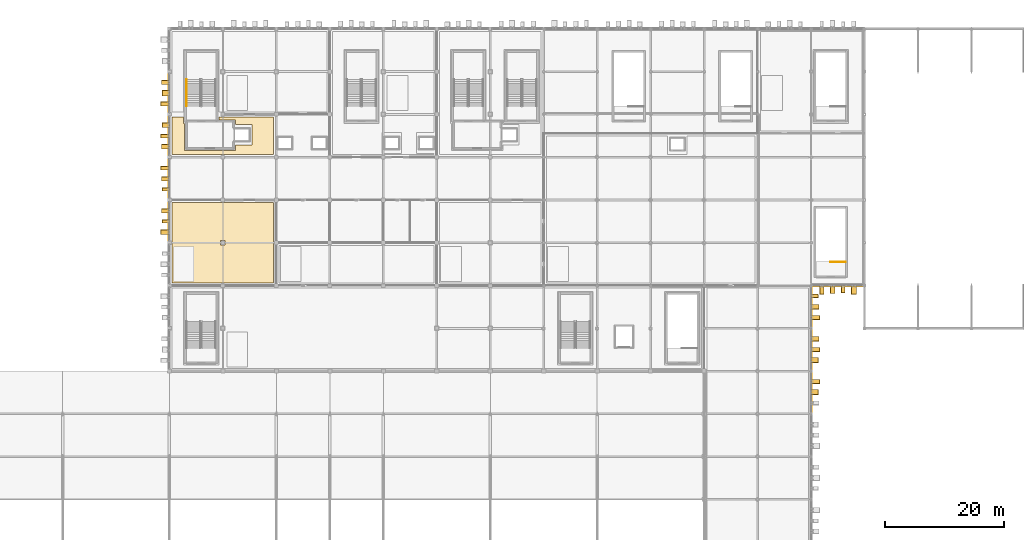
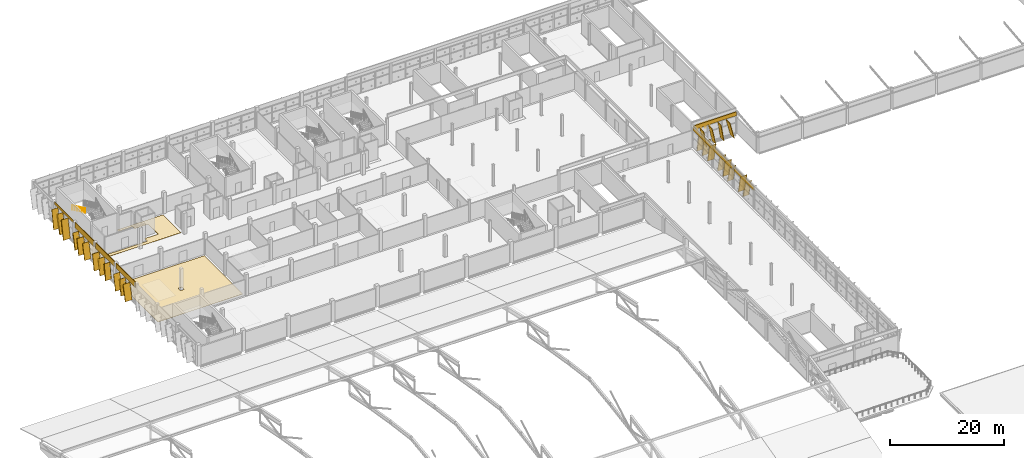
# One storey, part 118 of 124: 34 coverings, 24 shading devices, 2 railings.
"""IFC4 building model written with IfcOpenShell, lengths in metres."""

from ifc_helpers import new_model, si_unit, direction, frame, origin, origin_2d, place, context, subcontext, project, spatial, polyline, rectangle, circle, outline, extrude, material, layer, layer_set, material_profile, profile_set, type_object, element, save


model = new_model("IFC4")

# Units and contexts
model_context = context("Model", 3, precision=1e-05, world=origin(), true_north=direction((0.0, 1.0)))
body_context = subcontext(model_context, "Body", "Model", "MODEL_VIEW")
ifc_project = project(units=[si_unit("LENGTHUNIT", "METRE"), si_unit("AREAUNIT", "SQUARE_METRE"), si_unit("VOLUMEUNIT", "CUBIC_METRE"), si_unit("PLANEANGLEUNIT", "RADIAN"), si_unit("MASSUNIT", "GRAM", prefix="KILO")], contexts=[model_context])

# Site, building, storey
site_placement = place(None, origin())
site = spatial("IfcSite", under=ifc_project, at=site_placement, CompositionType="ELEMENT")
building_placement = place(site_placement, origin())
building = spatial("IfcBuilding", under=site, at=building_placement, Name="Celestram Park Convention Centre", CompositionType="ELEMENT")
storey_placement = place(building_placement, frame((0.0, 0.0, 15.300048828125)))
storey = spatial("IfcBuildingStorey", under=building, at=storey_placement, Name="L03", CompositionType="ELEMENT", Elevation=15.300048828125)

# Coverings
ifc_material_1 = material(Name="Anodised Bronze Aluminium Spandrel Cladding", Category="aluminium")
ifc_layer_1 = layer(ifc_material_1, 0.050048828125)
ifc_layer_set_1 = layer_set([ifc_layer_1], Name="Anodised Bronze Aluminium Spandrel Cladding")
covering_type_1 = type_object("IfcCoveringType", Name="ARC-COV-CLD060", PredefinedType="CLADDING", material=ifc_layer_set_1)
for number, where, z_axis, x_axis, name in (
    (1, (35.919921875, 133.199951171875, 3.35595703125), (0.0, 0.0, 1.0), (0.0, 1.0, 0.0), "Bronze spandrel cladding CL-L03-198"),
    (2, (35.919921875, 140.39990234375, 3.35595703125), (0.0, 0.0, 1.0), (0.0, 1.0, 0.0), "Bronze spandrel cladding CL-L03-199"),
    (3, (35.919921875, 147.60009765625, 3.35595703125), (0.0, 0.0, 1.0), (0.0, 1.0, 0.0), "Bronze spandrel cladding CL-L03-200"),
):
    element("IfcCovering", number, at=place(storey_placement, frame(where, z_axis=z_axis, x_axis=x_axis)), inside=storey, type_object=covering_type_1, Name=name, PredefinedType="CLADDING", context=body_context, shape_type="SweptSolid", body=[
        extrude(rectangle(XDim=6.60400390625, YDim=0.1201171875, at=origin_2d()), origin(), (0.0, 0.0, 1.0), 1.14404296875),
    ])
covering_1_placement = place(storey_placement, frame((35.919921875, 154.800048828125, 4.02001953125), z_axis=(0.0, 0.0, 1.0), x_axis=(0.0, 1.0, 0.0)))
element("IfcCovering", 4, at=covering_1_placement, inside=storey, type_object=covering_type_1, Name="Bronze spandrel cladding CL-L03-201", PredefinedType="CLADDING", context=body_context, shape_type="SweptSolid", body=[
    extrude(rectangle(XDim=6.60400390625, YDim=0.1201171875, at=origin_2d()), origin(), (0.0, 0.0, 1.0), 0.47998046875),
])
covering_2_placement = place(storey_placement, frame((148.5, 122.320068359375, 3.66796875), z_axis=(0.0, 0.0, 1.0), x_axis=(-1.0, 0.0, 0.0)))
element("IfcCovering", 5, at=covering_2_placement, inside=storey, type_object=covering_type_1, Name="Bronze spandrel cladding CL-L03-216", PredefinedType="CLADDING", context=body_context, shape_type="SweptSolid", body=[
    extrude(rectangle(XDim=8.62890625, YDim=0.1201171875, at=origin_2d()), origin(), (0.0, 0.0, 1.0), 0.83203125),
])
for number, where, z_axis, x_axis, name in (
    (6, (144.080078125, 118.800048828125, 3.66796875), (0.0, 0.0, 1.0), (0.0, -1.0, 0.0), "Bronze spandrel cladding CL-L03-217"),
    (7, (144.080078125, 111.60009765625, 3.66796875), (0.0, 0.0, 1.0), (0.0, -1.0, 0.0), "Bronze spandrel cladding CL-L03-218"),
    (8, (144.080078125, 104.39990234375, 3.66796875), (0.0, 0.0, 1.0), (0.0, -1.0, 0.0), "Bronze spandrel cladding CL-L03-219"),
):
    element("IfcCovering", number, at=place(storey_placement, frame(where, z_axis=z_axis, x_axis=x_axis)), inside=storey, type_object=covering_type_1, Name=name, PredefinedType="CLADDING", context=body_context, shape_type="SweptSolid", body=[
        extrude(rectangle(XDim=6.85400390625, YDim=0.1201171875, at=origin_2d()), origin(), (0.0, 0.0, 1.0), 0.83203125),
    ])
ifc_material_2 = material(Name="Timber-Toned Anodised Aluminium Alloy 6063-T6", Category="wood")
ifc_material_profile_1 = material_profile(ifc_material_2, rectangle(XDim=1.1201171875, YDim=0.090087890625, at=origin_2d()), Name="REED1120X90")
ifc_profile_set_1 = profile_set([ifc_material_profile_1], Name="Timber-Toned Anodised Aluminium Alloy 6063-T6")
covering_type_2 = type_object("IfcCoveringType", Name="ARC-COV-FIN1120", PredefinedType="CLADDING", material=ifc_profile_set_1)
for number, where, z_axis, x_axis, name in (
    (9, (35.360107421875, 132.93408203125, 0.0263671875), (0.0, 0.159873983247, 0.987137431911), (-1.0, 0.0, 0.0), "Leaning timber-toned reed fin RFN-L03-0623"),
    (10, (35.360107421875, 138.333984375, 0.0263671875), (0.0, 0.159945509836, 0.987125845008), (-1.0, 0.0, 0.0), "Leaning timber-toned reed fin RFN-L03-0625"),
    (11, (35.360107421875, 149.0146484375, 0.05029296875), (0.0, 0.231742921409, 0.972777065096), (-1.0, 0.0, 0.0), "Leaning timber-toned reed fin RFN-L03-0630"),
):
    element("IfcCovering", number, at=place(storey_placement, frame(where, z_axis=z_axis, x_axis=x_axis)), inside=storey, type_object=covering_type_2, Name=name, PredefinedType="CLADDING", context=body_context, shape_type="SweptSolid", body=[
        extrude(rectangle(XDim=1.1201171875, YDim=0.090087890625, at=origin_2d()), origin(), (0.0, 0.0, 1.0), 3.325927734375),
    ])
covering_3_placement = place(storey_placement, frame((35.360107421875, 154.337646484375, 0.059326171875), z_axis=(0.0, 0.231722551383, 0.972781917585), x_axis=(-1.0, 0.0, 0.0)))
element("IfcCovering", 12, at=covering_3_placement, inside=storey, type_object=covering_type_2, Name="Leaning timber-toned reed fin RFN-L03-0632", PredefinedType="CLADDING", context=body_context, shape_type="SweptSolid", body=[
    extrude(rectangle(XDim=1.1201171875, YDim=0.090087890625, at=origin_2d()), origin(), (0.0, 0.0, 1.0), 3.989990234375),
])
for number, where, z_axis, x_axis, name in (
    (13, (149.67822265625, 121.760009765625, 0.0283203125), (-0.159848483968, 0.0, 0.987141561364), (0.0, -1.0, 0.0), "Leaning timber-toned reed fin RFN-L03-0690"),
    (14, (144.639892578125, 120.890869140625, 0.0283203125), (0.0, -0.159913875069, 0.987130970318), (1.0, 0.0, 0.0), "Leaning timber-toned reed fin RFN-L03-0693"),
    (15, (144.639892578125, 110.221435546875, 0.054443359375), (0.0, -0.231720322485, 0.97278244852), (1.0, 0.0, 0.0), "Leaning timber-toned reed fin RFN-L03-0698"),
    (16, (144.639892578125, 104.821533203125, 0.054443359375), (0.0, -0.231720322485, 0.97278244852), (1.0, 0.0, 0.0), "Leaning timber-toned reed fin RFN-L03-0700"),
):
    element("IfcCovering", number, at=place(storey_placement, frame(where, z_axis=z_axis, x_axis=x_axis)), inside=storey, type_object=covering_type_2, Name=name, PredefinedType="CLADDING", context=body_context, shape_type="SweptSolid", body=[
        extrude(rectangle(XDim=1.1201171875, YDim=0.090087890625, at=origin_2d()), origin(), (0.0, 0.0, 1.0), 3.63818359375),
    ])
ifc_material_profile_2 = material_profile(ifc_material_2, rectangle(XDim=1.280029296875, YDim=0.090087890625, at=origin_2d()), Name="REED1280X90")
ifc_profile_set_2 = profile_set([ifc_material_profile_2], Name="Timber-Toned Anodised Aluminium Alloy 6063-T6")
covering_type_3 = type_object("IfcCoveringType", Name="ARC-COV-FIN1280", PredefinedType="CLADDING", material=ifc_profile_set_2)
for number, where, z_axis, x_axis, name in (
    (17, (35.280029296875, 134.6513671875, 0.041748046875), (0.0, 0.209634355845, 0.977779850912), (-1.0, 0.0, 0.0), "Leaning timber-toned reed fin RFN-L03-0624"),
    (18, (35.280029296875, 140.051513671875, 0.041748046875), (0.0, 0.209564178578, 0.977794894166), (-1.0, 0.0, 0.0), "Leaning timber-toned reed fin RFN-L03-0626"),
    (19, (35.280029296875, 145.451416015625, 0.041748046875), (0.0, 0.209634355845, 0.977779850912), (-1.0, 0.0, 0.0), "Leaning timber-toned reed fin RFN-L03-0628"),
):
    element("IfcCovering", number, at=place(storey_placement, frame(where, z_axis=z_axis, x_axis=x_axis)), inside=storey, type_object=covering_type_3, Name=name, PredefinedType="CLADDING", context=body_context, shape_type="SweptSolid", body=[
        extrude(rectangle(XDim=1.280029296875, YDim=0.090087890625, at=origin_2d()), origin(), (0.0, 0.0, 1.0), 3.326171875),
    ])
covering_4_placement = place(storey_placement, frame((35.280029296875, 156.260498046875, 0.033935546875), z_axis=(0.0, 0.170220399589, 0.985406015591), x_axis=(-1.0, 0.0, 0.0)))
element("IfcCovering", 20, at=covering_4_placement, inside=storey, type_object=covering_type_3, Name="Leaning timber-toned reed fin RFN-L03-0633", PredefinedType="CLADDING", context=body_context, shape_type="SweptSolid", body=[
    extrude(rectangle(XDim=1.280029296875, YDim=0.090087890625, at=origin_2d()), origin(), (0.0, 0.0, 1.0), 3.990234375),
])
for number, where, z_axis, x_axis, name in (
    (21, (147.96875, 121.679931640625, 0.04541015625), (-0.209584085746, 0.0, 0.977790627385), (0.0, -1.0, 0.0), "Leaning timber-toned reed fin RFN-L03-0691"),
    (22, (144.719970703125, 119.181396484375, 0.04541015625), (0.0, -0.209648246417, 0.977776872694), (1.0, 0.0, 0.0), "Leaning timber-toned reed fin RFN-L03-0694"),
    (23, (144.719970703125, 113.78125, 0.04541015625), (0.0, -0.209584085746, 0.977790627385), (1.0, 0.0, 0.0), "Leaning timber-toned reed fin RFN-L03-0696"),
):
    element("IfcCovering", number, at=place(storey_placement, frame(where, z_axis=z_axis, x_axis=x_axis)), inside=storey, type_object=covering_type_3, Name=name, PredefinedType="CLADDING", context=body_context, shape_type="SweptSolid", body=[
        extrude(rectangle(XDim=1.280029296875, YDim=0.090087890625, at=origin_2d()), origin(), (0.0, 0.0, 1.0), 3.637939453125),
    ])
ifc_material_profile_3 = material_profile(ifc_material_2, rectangle(XDim=1.419921875, YDim=0.090087890625, at=origin_2d()), Name="REED1420X90")
ifc_profile_set_3 = profile_set([ifc_material_profile_3], Name="Timber-Toned Anodised Aluminium Alloy 6063-T6")
covering_type_4 = type_object("IfcCoveringType", Name="ARC-COV-FIN1420", PredefinedType="CLADDING", material=ifc_profile_set_3)
covering_5_placement = place(storey_placement, frame((35.2099609375, 131.00341796875, 0.052978515625), z_axis=(0.0, 0.238491942743, 0.97114447599), x_axis=(-1.0, 0.0, 0.0)))
element("IfcCovering", 24, at=covering_5_placement, inside=storey, type_object=covering_type_4, Name="Leaning timber-toned reed fin RFN-L03-0622", PredefinedType="CLADDING", context=body_context, shape_type="SweptSolid", body=[
    extrude(rectangle(XDim=1.419921875, YDim=0.090087890625, at=origin_2d()), origin(), (0.0, 0.0, 1.0), 3.325927734375),
])
for number, where, z_axis, x_axis, name in (
    (25, (35.2099609375, 141.89990234375, 0.0322265625), (0.0, 0.18049356641, 0.983576165065), (-1.0, 0.0, 0.0), "Leaning timber-toned reed fin RFN-L03-0627"),
    (26, (35.2099609375, 147.2998046875, 0.0322265625), (0.0, 0.18049356641, 0.983576165065), (-1.0, 0.0, 0.0), "Leaning timber-toned reed fin RFN-L03-0629"),
):
    element("IfcCovering", number, at=place(storey_placement, frame(where, z_axis=z_axis, x_axis=x_axis)), inside=storey, type_object=covering_type_4, Name=name, PredefinedType="CLADDING", context=body_context, shape_type="SweptSolid", body=[
        extrude(rectangle(XDim=1.419921875, YDim=0.090087890625, at=origin_2d()), origin(), (0.0, 0.0, 1.0), 3.326171875),
    ])
covering_6_placement = place(storey_placement, frame((35.2099609375, 152.639892578125, 0.037841796875), z_axis=(0.0, 0.180511387282, 0.983572894635), x_axis=(-1.0, 0.0, 0.0)))
element("IfcCovering", 27, at=covering_6_placement, inside=storey, type_object=covering_type_4, Name="Leaning timber-toned reed fin RFN-L03-0631", PredefinedType="CLADDING", context=body_context, shape_type="SweptSolid", body=[
    extrude(rectangle(XDim=1.419921875, YDim=0.090087890625, at=origin_2d()), origin(), (0.0, 0.0, 1.0), 3.98974609375),
])
for number, where, z_axis, x_axis, name in (
    (28, (151.621337890625, 121.610107421875, 0.057373046875), (-0.23850696927, 0.0, 0.971140785679), (0.0, -1.0, 0.0), "Leaning timber-toned reed fin RFN-L03-0689"),
    (29, (146.115966796875, 121.610107421875, 0.034912109375), (-0.180591900077, 0.0, 0.983558115023), (0.0, -1.0, 0.0), "Leaning timber-toned reed fin RFN-L03-0692"),
    (30, (144.7900390625, 117.328369140625, 0.034912109375), (0.0, -0.180526977983, 0.983570033206), (1.0, 0.0, 0.0), "Leaning timber-toned reed fin RFN-L03-0695"),
    (31, (144.7900390625, 111.928466796875, 0.034912109375), (0.0, -0.180591900077, 0.983558115023), (1.0, 0.0, 0.0), "Leaning timber-toned reed fin RFN-L03-0697"),
    (32, (144.7900390625, 106.5283203125, 0.034912109375), (0.0, -0.180526977983, 0.983570033206), (1.0, 0.0, 0.0), "Leaning timber-toned reed fin RFN-L03-0699"),
):
    element("IfcCovering", number, at=place(storey_placement, frame(where, z_axis=z_axis, x_axis=x_axis)), inside=storey, type_object=covering_type_4, Name=name, PredefinedType="CLADDING", context=body_context, shape_type="SweptSolid", body=[
        extrude(rectangle(XDim=1.419921875, YDim=0.090087890625, at=origin_2d()), origin(), (0.0, 0.0, 1.0), 3.637939453125),
    ])
ifc_material_3 = material(Name="Polished Lakefront Aggregate Terrazzo Flooring", Category="concrete")
ifc_layer_2 = layer(ifc_material_3, 0.02001953125)
ifc_layer_set_2 = layer_set([ifc_layer_2], Name="Polished Lakefront Aggregate Terrazzo Flooring")
covering_type_5 = type_object("IfcCoveringType", Name="ARC-COV-FLR020", PredefinedType="FLOORING", material=ifc_layer_set_2)
covering_7_placement = place(storey_placement, origin())
element("IfcCovering", 33, at=covering_7_placement, inside=storey, type_object=covering_type_5, Name="Caucus Chamber 301 terrazzo flooring", PredefinedType="FLOORING", context=body_context, shape_type="SweptSolid", body=[
    extrude(outline(polyline([(53.550048828125, 136.35009765625), (53.550048828125, 122.85009765625), (36.449951171875, 122.85009765625), (36.449951171875, 136.35009765625), (53.550048828125, 136.35009765625)]), holes=[polyline([(45.3779296875, 129.97802734375), (44.6220703125, 129.97802734375), (44.6220703125, 129.221923828125), (45.3779296875, 129.221923828125), (45.3779296875, 129.97802734375)])]), origin(), (0.0, 0.0, 1.0), 0.02001953125),
])
covering_8_placement = place(storey_placement, origin())
element("IfcCovering", 34, at=covering_8_placement, inside=storey, type_object=covering_type_5, Name="North Elevator Lobby L03 terrazzo flooring", PredefinedType="FLOORING", context=body_context, shape_type="SweptSolid", body=[
    extrude(outline(polyline([(38.340087890625, 150.75), (38.340087890625, 149.699951171875), (38.489990234375, 149.699951171875), (38.489990234375, 145.14990234375), (47.1298828125, 145.14990234375), (47.1298828125, 146.050048828125), (49.85009765625, 146.050048828125), (49.85009765625, 149.550048828125), (47.1298828125, 149.550048828125), (47.1298828125, 150.25), (44.300048828125, 150.25), (44.300048828125, 150.75), (53.550048828125, 150.75), (53.550048828125, 144.449951171875), (36.449951171875, 144.449951171875), (36.449951171875, 150.75), (38.340087890625, 150.75)])), origin(), (0.0, 0.0, 1.0), 0.02001953125),
])

# Shading devices
ifc_material_4 = material(Name="Anodised Bronze Aluminium Alloy 6063-T6", Category="aluminium")
ifc_material_profile_4 = material_profile(ifc_material_4, rectangle(XDim=1.280029296875, YDim=0.080078125, at=origin_2d()), Name="FIN1280X80")
ifc_profile_set_4 = profile_set([ifc_material_profile_4], Name="Anodised Bronze Aluminium Alloy 6063-T6")
shading_device_type = type_object("IfcShadingDeviceType", Name="ARC-FIN-BZ1280", PredefinedType="USERDEFINED", material=ifc_profile_set_4)
for number, where, z_axis, x_axis, name in (
    (35, (35.2099609375, 131.00341796875, 0.052978515625), (0.0, 0.238491942743, 0.97114447599), (-1.0, 0.0, 0.0), "Expressive solar fin FN-L03-0622"),
    (36, (35.360107421875, 132.93408203125, 0.0263671875), (0.0, 0.159873983247, 0.987137431911), (-1.0, 0.0, 0.0), "Expressive solar fin FN-L03-0623"),
):
    element("IfcShadingDevice", number, at=place(storey_placement, frame(where, z_axis=z_axis, x_axis=x_axis)), inside=storey, type_object=shading_device_type, Name=name, ObjectType="SOLAR_FIN", PredefinedType="USERDEFINED", context=body_context, shape_type="SweptSolid", body=[
        extrude(rectangle(XDim=1.280029296875, YDim=0.080078125, at=origin_2d()), origin(), (0.0, 0.0, 1.0), 3.325927734375),
    ])
shading_device_1_placement = place(storey_placement, frame((35.280029296875, 134.6513671875, 0.041748046875), z_axis=(0.0, 0.209634355845, 0.977779850912), x_axis=(-1.0, 0.0, 0.0)))
element("IfcShadingDevice", 37, at=shading_device_1_placement, inside=storey, type_object=shading_device_type, Name="Expressive solar fin FN-L03-0624", ObjectType="SOLAR_FIN", PredefinedType="USERDEFINED", context=body_context, shape_type="SweptSolid", body=[
    extrude(rectangle(XDim=1.280029296875, YDim=0.080078125, at=origin_2d()), origin(), (0.0, 0.0, 1.0), 3.326171875),
])
shading_device_2_placement = place(storey_placement, frame((35.360107421875, 138.333984375, 0.0263671875), z_axis=(0.0, 0.159945509836, 0.987125845008), x_axis=(-1.0, 0.0, 0.0)))
element("IfcShadingDevice", 38, at=shading_device_2_placement, inside=storey, type_object=shading_device_type, Name="Expressive solar fin FN-L03-0625", ObjectType="SOLAR_FIN", PredefinedType="USERDEFINED", context=body_context, shape_type="SweptSolid", body=[
    extrude(rectangle(XDim=1.280029296875, YDim=0.080078125, at=origin_2d()), origin(), (0.0, 0.0, 1.0), 3.325927734375),
])
for number, where, z_axis, x_axis, name in (
    (39, (35.280029296875, 140.051513671875, 0.041748046875), (0.0, 0.209564178578, 0.977794894166), (-1.0, 0.0, 0.0), "Expressive solar fin FN-L03-0626"),
    (40, (35.2099609375, 141.89990234375, 0.0322265625), (0.0, 0.18049356641, 0.983576165065), (-1.0, 0.0, 0.0), "Expressive solar fin FN-L03-0627"),
    (41, (35.280029296875, 145.451416015625, 0.041748046875), (0.0, 0.209634355845, 0.977779850912), (-1.0, 0.0, 0.0), "Expressive solar fin FN-L03-0628"),
    (42, (35.2099609375, 147.2998046875, 0.0322265625), (0.0, 0.18049356641, 0.983576165065), (-1.0, 0.0, 0.0), "Expressive solar fin FN-L03-0629"),
):
    element("IfcShadingDevice", number, at=place(storey_placement, frame(where, z_axis=z_axis, x_axis=x_axis)), inside=storey, type_object=shading_device_type, Name=name, ObjectType="SOLAR_FIN", PredefinedType="USERDEFINED", context=body_context, shape_type="SweptSolid", body=[
        extrude(rectangle(XDim=1.280029296875, YDim=0.080078125, at=origin_2d()), origin(), (0.0, 0.0, 1.0), 3.326171875),
    ])
shading_device_3_placement = place(storey_placement, frame((35.360107421875, 149.0146484375, 0.05029296875), z_axis=(0.0, 0.231742921409, 0.972777065096), x_axis=(-1.0, 0.0, 0.0)))
element("IfcShadingDevice", 43, at=shading_device_3_placement, inside=storey, type_object=shading_device_type, Name="Expressive solar fin FN-L03-0630", ObjectType="SOLAR_FIN", PredefinedType="USERDEFINED", context=body_context, shape_type="SweptSolid", body=[
    extrude(rectangle(XDim=1.280029296875, YDim=0.080078125, at=origin_2d()), origin(), (0.0, 0.0, 1.0), 3.325927734375),
])
shading_device_4_placement = place(storey_placement, frame((35.2099609375, 152.639892578125, 0.037841796875), z_axis=(0.0, 0.180511387282, 0.983572894635), x_axis=(-1.0, 0.0, 0.0)))
element("IfcShadingDevice", 44, at=shading_device_4_placement, inside=storey, type_object=shading_device_type, Name="Expressive solar fin FN-L03-0631", ObjectType="SOLAR_FIN", PredefinedType="USERDEFINED", context=body_context, shape_type="SweptSolid", body=[
    extrude(rectangle(XDim=1.280029296875, YDim=0.080078125, at=origin_2d()), origin(), (0.0, 0.0, 1.0), 3.98974609375),
])
shading_device_5_placement = place(storey_placement, frame((35.360107421875, 154.337646484375, 0.059326171875), z_axis=(0.0, 0.231722551383, 0.972781917585), x_axis=(-1.0, 0.0, 0.0)))
element("IfcShadingDevice", 45, at=shading_device_5_placement, inside=storey, type_object=shading_device_type, Name="Expressive solar fin FN-L03-0632", ObjectType="SOLAR_FIN", PredefinedType="USERDEFINED", context=body_context, shape_type="SweptSolid", body=[
    extrude(rectangle(XDim=1.280029296875, YDim=0.080078125, at=origin_2d()), origin(), (0.0, 0.0, 1.0), 3.989990234375),
])
shading_device_6_placement = place(storey_placement, frame((35.280029296875, 156.260498046875, 0.033935546875), z_axis=(0.0, 0.170220399589, 0.985406015591), x_axis=(-1.0, 0.0, 0.0)))
element("IfcShadingDevice", 46, at=shading_device_6_placement, inside=storey, type_object=shading_device_type, Name="Expressive solar fin FN-L03-0633", ObjectType="SOLAR_FIN", PredefinedType="USERDEFINED", context=body_context, shape_type="SweptSolid", body=[
    extrude(rectangle(XDim=1.280029296875, YDim=0.080078125, at=origin_2d()), origin(), (0.0, 0.0, 1.0), 3.990234375),
])
shading_device_7_placement = place(storey_placement, frame((151.621337890625, 121.610107421875, 0.057373046875), z_axis=(-0.23850696927, 0.0, 0.971140785679), x_axis=(0.0, -1.0, 0.0)))
element("IfcShadingDevice", 47, at=shading_device_7_placement, inside=storey, type_object=shading_device_type, Name="Expressive solar fin FN-L03-0689", ObjectType="SOLAR_FIN", PredefinedType="USERDEFINED", context=body_context, shape_type="SweptSolid", body=[
    extrude(rectangle(XDim=1.280029296875, YDim=0.080078125, at=origin_2d()), origin(), (0.0, 0.0, 1.0), 3.637939453125),
])
shading_device_8_placement = place(storey_placement, frame((149.67822265625, 121.760009765625, 0.0283203125), z_axis=(-0.159848483968, 0.0, 0.987141561364), x_axis=(0.0, -1.0, 0.0)))
element("IfcShadingDevice", 48, at=shading_device_8_placement, inside=storey, type_object=shading_device_type, Name="Expressive solar fin FN-L03-0690", ObjectType="SOLAR_FIN", PredefinedType="USERDEFINED", context=body_context, shape_type="SweptSolid", body=[
    extrude(rectangle(XDim=1.280029296875, YDim=0.080078125, at=origin_2d()), origin(), (0.0, 0.0, 1.0), 3.63818359375),
])
for number, where, z_axis, x_axis, name in (
    (49, (147.96875, 121.679931640625, 0.04541015625), (-0.209584085746, 0.0, 0.977790627385), (0.0, -1.0, 0.0), "Expressive solar fin FN-L03-0691"),
    (50, (146.115966796875, 121.610107421875, 0.034912109375), (-0.180591900077, 0.0, 0.983558115023), (0.0, -1.0, 0.0), "Expressive solar fin FN-L03-0692"),
):
    element("IfcShadingDevice", number, at=place(storey_placement, frame(where, z_axis=z_axis, x_axis=x_axis)), inside=storey, type_object=shading_device_type, Name=name, ObjectType="SOLAR_FIN", PredefinedType="USERDEFINED", context=body_context, shape_type="SweptSolid", body=[
        extrude(rectangle(XDim=1.280029296875, YDim=0.080078125, at=origin_2d()), origin(), (0.0, 0.0, 1.0), 3.637939453125),
    ])
shading_device_9_placement = place(storey_placement, frame((144.639892578125, 120.890869140625, 0.0283203125), z_axis=(0.0, -0.159913875069, 0.987130970318), x_axis=(1.0, 0.0, 0.0)))
element("IfcShadingDevice", 51, at=shading_device_9_placement, inside=storey, type_object=shading_device_type, Name="Expressive solar fin FN-L03-0693", ObjectType="SOLAR_FIN", PredefinedType="USERDEFINED", context=body_context, shape_type="SweptSolid", body=[
    extrude(rectangle(XDim=1.280029296875, YDim=0.080078125, at=origin_2d()), origin(), (0.0, 0.0, 1.0), 3.63818359375),
])
for number, where, z_axis, x_axis, name in (
    (52, (144.719970703125, 119.181396484375, 0.04541015625), (0.0, -0.209648246417, 0.977776872694), (1.0, 0.0, 0.0), "Expressive solar fin FN-L03-0694"),
    (53, (144.7900390625, 117.328369140625, 0.034912109375), (0.0, -0.180526977983, 0.983570033206), (1.0, 0.0, 0.0), "Expressive solar fin FN-L03-0695"),
    (54, (144.719970703125, 113.78125, 0.04541015625), (0.0, -0.209584085746, 0.977790627385), (1.0, 0.0, 0.0), "Expressive solar fin FN-L03-0696"),
    (55, (144.7900390625, 111.928466796875, 0.034912109375), (0.0, -0.180591900077, 0.983558115023), (1.0, 0.0, 0.0), "Expressive solar fin FN-L03-0697"),
):
    element("IfcShadingDevice", number, at=place(storey_placement, frame(where, z_axis=z_axis, x_axis=x_axis)), inside=storey, type_object=shading_device_type, Name=name, ObjectType="SOLAR_FIN", PredefinedType="USERDEFINED", context=body_context, shape_type="SweptSolid", body=[
        extrude(rectangle(XDim=1.280029296875, YDim=0.080078125, at=origin_2d()), origin(), (0.0, 0.0, 1.0), 3.637939453125),
    ])
shading_device_10_placement = place(storey_placement, frame((144.639892578125, 110.221435546875, 0.054443359375), z_axis=(0.0, -0.231720322485, 0.97278244852), x_axis=(1.0, 0.0, 0.0)))
element("IfcShadingDevice", 56, at=shading_device_10_placement, inside=storey, type_object=shading_device_type, Name="Expressive solar fin FN-L03-0698", ObjectType="SOLAR_FIN", PredefinedType="USERDEFINED", context=body_context, shape_type="SweptSolid", body=[
    extrude(rectangle(XDim=1.280029296875, YDim=0.080078125, at=origin_2d()), origin(), (0.0, 0.0, 1.0), 3.63818359375),
])
shading_device_11_placement = place(storey_placement, frame((144.7900390625, 106.5283203125, 0.034912109375), z_axis=(0.0, -0.180526977983, 0.983570033206), x_axis=(1.0, 0.0, 0.0)))
element("IfcShadingDevice", 57, at=shading_device_11_placement, inside=storey, type_object=shading_device_type, Name="Expressive solar fin FN-L03-0699", ObjectType="SOLAR_FIN", PredefinedType="USERDEFINED", context=body_context, shape_type="SweptSolid", body=[
    extrude(rectangle(XDim=1.280029296875, YDim=0.080078125, at=origin_2d()), origin(), (0.0, 0.0, 1.0), 3.637939453125),
])
shading_device_12_placement = place(storey_placement, frame((144.639892578125, 104.821533203125, 0.054443359375), z_axis=(0.0, -0.231720322485, 0.97278244852), x_axis=(1.0, 0.0, 0.0)))
element("IfcShadingDevice", 58, at=shading_device_12_placement, inside=storey, type_object=shading_device_type, Name="Expressive solar fin FN-L03-0700", ObjectType="SOLAR_FIN", PredefinedType="USERDEFINED", context=body_context, shape_type="SweptSolid", body=[
    extrude(rectangle(XDim=1.280029296875, YDim=0.080078125, at=origin_2d()), origin(), (0.0, 0.0, 1.0), 3.63818359375),
])

# Railings
ifc_material_5 = material(Name="Stainless Steel AISI 316L & Laminated Glass", Category="steel")
ifc_layer_3 = layer(ifc_material_5, 0.06005859375)
ifc_layer_set_3 = layer_set([ifc_layer_3], Name="Stainless Steel AISI 316L & Laminated Glass")
railing_type_1 = type_object("IfcRailingType", Name="ARC-RL-GRD1120", PredefinedType="GUARDRAIL", material=ifc_layer_set_3)
railing_1_placement = place(storey_placement, frame((149.800048828125, 126.35009765625, 0.0)))
element("IfcRailing", 59, at=railing_1_placement, inside=storey, type_object=railing_type_1, Name="L03 ST-10 top well guard 1", PredefinedType="GUARDRAIL", context=body_context, shape_type="SweptSolid", body=[
    extrude(circle(Radius=0.02392578125, at=origin_2d()), frame((0.0, 0.0, 1.09619140625), z_axis=(-1.0, 0.0, 0.0), x_axis=(0.0, -1.0, 0.0)), (0.0, 0.0, 1.0), 2.56005859375),
    extrude(circle(Radius=0.02099609375, at=origin_2d()), origin(), (0.0, 0.0, 1.0), 1.072021484375),
    extrude(circle(Radius=0.02099609375, at=origin_2d()), frame((-0.853271484375, 0.0, 0.0)), (0.0, 0.0, 1.0), 1.072021484375),
    extrude(circle(Radius=0.02099609375, at=origin_2d()), frame((-1.706787109375, 0.0, 0.0)), (0.0, 0.0, 1.0), 1.072021484375),
    extrude(circle(Radius=0.02099609375, at=origin_2d()), frame((-2.56005859375, 0.0, 0.0)), (0.0, 0.0, 1.0), 1.072021484375),
])
ifc_material_6 = material(Name="Brushed Stainless Steel AISI 304", Category="steel")
ifc_layer_4 = layer(ifc_material_6, 0.048095703125)
ifc_layer_set_4 = layer_set([ifc_layer_4], Name="Brushed Stainless Steel AISI 304")
railing_type_2 = type_object("IfcRailingType", Name="ARC-RL-HND915", PredefinedType="HANDRAIL", material=ifc_layer_set_4)
railing_2_placement = place(storey_placement, frame((38.8759765625, 157.080078125, 2.39990234375)))
element("IfcRailing", 60, at=railing_2_placement, inside=storey, type_object=railing_type_2, Name="L03 ST-01 stair handrail 2", PredefinedType="HANDRAIL", context=body_context, shape_type="SweptSolid", body=[
    extrude(circle(Radius=0.02392578125, at=origin_2d()), frame((0.0, 0.0, 0.8759765625), z_axis=(0.0, -0.905450639465, 0.424451574969), x_axis=(1.0, 0.0, 0.0)), (0.0, 0.0, 1.0), 4.94775390625),
    extrude(circle(Radius=0.02099609375, at=origin_2d()), origin(), (0.0, 0.0, 1.0), 0.851806640625),
    extrude(circle(Radius=0.02099609375, at=origin_2d()), frame((0.0, -0.89599609375, 0.419921875)), (0.0, 0.0, 1.0), 0.851806640625),
    extrude(circle(Radius=0.02099609375, at=origin_2d()), frame((0.0, -1.7919921875, 0.840087890625)), (0.0, 0.0, 1.0), 0.851806640625),
    extrude(circle(Radius=0.02099609375, at=origin_2d()), frame((0.0, -2.68798828125, 1.260009765625)), (0.0, 0.0, 1.0), 0.851806640625),
    extrude(circle(Radius=0.02099609375, at=origin_2d()), frame((0.0, -3.583984375, 1.68017578125)), (0.0, 0.0, 1.0), 0.851806640625),
    extrude(circle(Radius=0.02099609375, at=origin_2d()), frame((0.0, -4.47998046875, 2.10009765625)), (0.0, 0.0, 1.0), 0.851806640625),
])

save(model, "model.ifc")
